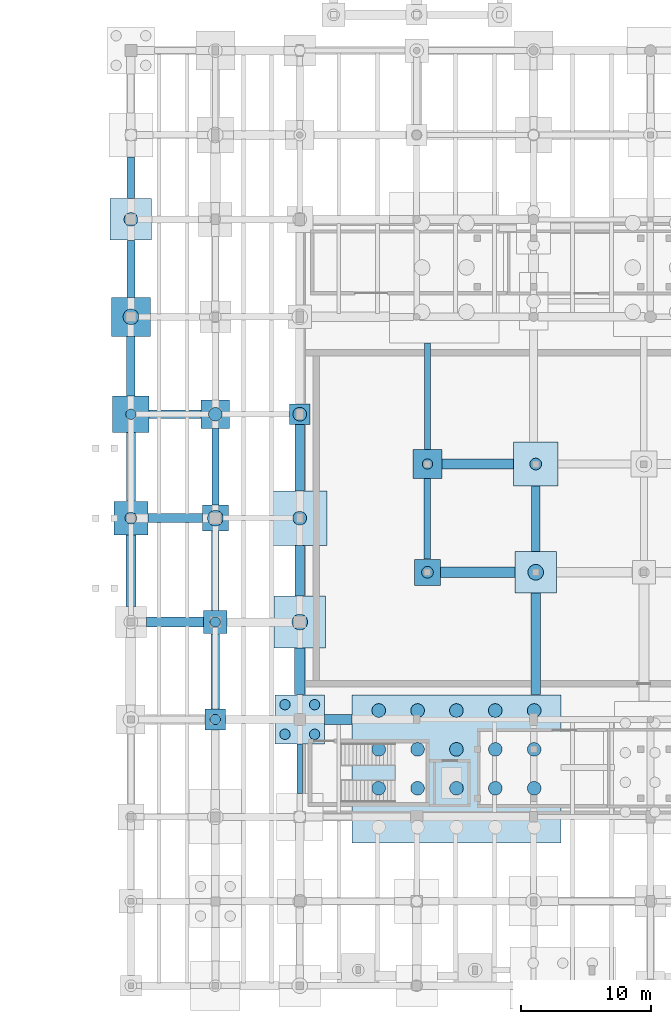
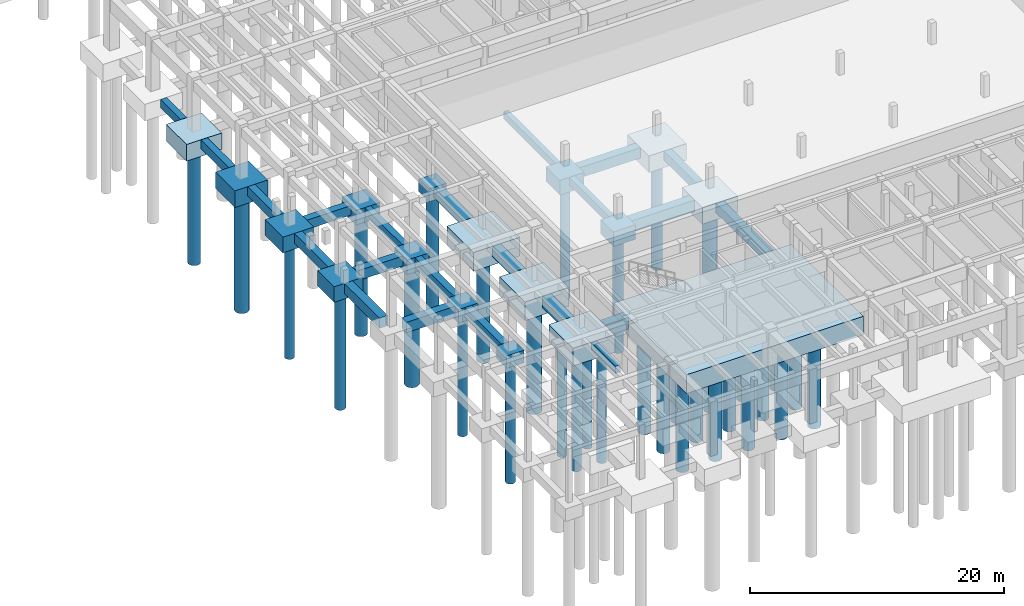
# One storey, part 2 of 36: 39 footings, 34 piles.
"""IFC4 building model written with IfcOpenShell, lengths in metres."""

from ifc_helpers import new_model, si_unit, direction, frame, origin, origin_2d, place, context, subcontext, project, spatial, polyline, circle, outline, extrude, material, material_profile, profile_set, type_object, element, save


model = new_model("IFC4")

# Units and contexts
model_context = context("Model", 3, precision=1e-05, world=origin(), true_north=direction((0.0, 1.0)))
body_context = subcontext(model_context, "Body", "Model", "MODEL_VIEW")
ifc_project = project(units=[si_unit("LENGTHUNIT", "METRE"), si_unit("AREAUNIT", "SQUARE_METRE"), si_unit("VOLUMEUNIT", "CUBIC_METRE"), si_unit("PLANEANGLEUNIT", "RADIAN"), si_unit("MASSUNIT", "GRAM", prefix="KILO"), si_unit("THERMODYNAMICTEMPERATUREUNIT", "KELVIN"), si_unit("POWERUNIT", "WATT")], contexts=[model_context])

# Site, building, storey
site_placement = place(None, origin())
site = spatial("IfcSite", under=ifc_project, at=site_placement, CompositionType="ELEMENT")
building_placement = place(site_placement, origin())
building = spatial("IfcBuilding", under=site, at=building_placement, Name="Tepalcoro Natatorium and Aquatics Centre", CompositionType="ELEMENT")
storey_placement = place(building_placement, frame((0.0, 0.0, -5.199951171875)))
storey = spatial("IfcBuildingStorey", under=building, at=storey_placement, Name="B1", CompositionType="ELEMENT", Elevation=-5.199951171875)

# Footings
ifc_material = material(Name="Concrete C40/50 (fc 40 MPa)", Category="concrete")
footing_type_1 = type_object("IfcFootingType", Name="FB_450x700", PredefinedType="FOOTING_BEAM", material=ifc_material)
footing_1_placement = place(storey_placement, frame((0.0, 0.0, -1.199951171875)))
element("IfcFooting", 1, at=footing_1_placement, inside=storey, type_object=footing_type_1, Name="V1 B1 Foundation Tie Beam Y", PredefinedType="FOOTING_BEAM", context=body_context, shape_type="SweptSolid", body=[
    extrude(outline(polyline([(53.22509765625, 14.804931640625), (53.22509765625, 18.594970703125), (52.77490234375, 18.594970703125), (52.77490234375, 14.804931640625), (53.22509765625, 14.804931640625)])), origin(), (0.0, 0.0, 1.0), 0.699951171875),
])
footing_2_placement = place(storey_placement, frame((0.0, 0.0, -1.199951171875)))
element("IfcFooting", 2, at=footing_2_placement, inside=storey, type_object=footing_type_1, Name="V1 B1 Foundation Tie Beam Y", PredefinedType="FOOTING_BEAM", context=body_context, shape_type="SweptSolid", body=[
    extrude(outline(polyline([(63.05810546875, 41.27197265625), (63.05810546875, 49.4951171875), (62.60791015625, 49.4951171875), (62.60791015625, 41.27197265625), (63.05810546875, 41.27197265625)])), origin(), (0.0, 0.0, 1.0), 0.699951171875),
])
footing_type_2 = type_object("IfcFootingType", Name="FB_500x750", PredefinedType="FOOTING_BEAM", material=ifc_material)
footing_3_placement = place(storey_placement, frame((0.0, 0.0, -1.25)))
element("IfcFooting", 3, at=footing_3_placement, inside=storey, type_object=footing_type_2, Name="V1 B1 Foundation Tie Beam Y", PredefinedType="FOOTING_BEAM", context=body_context, shape_type="SweptSolid", body=[
    extrude(outline(polyline([(63.0830078125, 32.837890625), (63.0830078125, 39.06201171875), (62.5830078125, 39.06201171875), (62.5830078125, 32.837890625), (63.0830078125, 32.837890625)])), origin(), (0.0, 0.0, 1.0), 0.75),
])
footing_type_3 = type_object("IfcFootingType", Name="FB_550x800", PredefinedType="FOOTING_BEAM", material=ifc_material)
footing_4_placement = place(storey_placement, frame((0.0, 0.0, -0.800048828125)))
element("IfcFooting", 4, at=footing_4_placement, inside=storey, type_object=footing_type_3, Name="V1 B1 Foundation Tie Beam Y", PredefinedType="FOOTING_BEAM", context=body_context, shape_type="SweptSolid", body=[
    extrude(outline(polyline([(40.27490234375, 60.60498046875), (40.27490234375, 63.794921875), (39.72509765625, 63.794921875), (39.72509765625, 60.60498046875), (40.27490234375, 60.60498046875)])), origin(), (0.0, 0.0, 1.0), 0.800048828125),
])
footing_5_placement = place(storey_placement, frame((0.0, 0.0, -0.800048828125)))
element("IfcFooting", 5, at=footing_5_placement, inside=storey, type_object=footing_type_3, Name="V1 B1 Foundation Tie Beam Y", PredefinedType="FOOTING_BEAM", context=body_context, shape_type="SweptSolid", body=[
    extrude(outline(polyline([(46.77490234375, 37.0048828125), (46.77490234375, 42.89501953125), (46.22509765625, 42.89501953125), (46.22509765625, 37.0048828125), (46.77490234375, 37.0048828125)])), origin(), (0.0, 0.0, 1.0), 0.800048828125),
])
footing_type_4 = type_object("IfcFootingType", Name="FB_600x850", PredefinedType="FOOTING_BEAM", material=ifc_material)
footing_6_placement = place(storey_placement, frame((0.0, 0.0, -0.85009765625)))
element("IfcFooting", 6, at=footing_6_placement, inside=storey, type_object=footing_type_4, Name="V1 B1 Foundation Tie Beam Y", PredefinedType="FOOTING_BEAM", context=body_context, shape_type="SweptSolid", body=[
    extrude(outline(polyline([(40.300048828125, 53.0048828125), (40.300048828125, 57.39501953125), (39.699951171875, 57.39501953125), (39.699951171875, 53.0048828125), (40.300048828125, 53.0048828125)])), origin(), (0.0, 0.0, 1.0), 0.85009765625),
])
footing_7_placement = place(storey_placement, frame((0.0, 0.0, -0.85009765625)))
element("IfcFooting", 7, at=footing_7_placement, inside=storey, type_object=footing_type_4, Name="V1 B1 Foundation Tie Beam Y", PredefinedType="FOOTING_BEAM", context=body_context, shape_type="SweptSolid", body=[
    extrude(outline(polyline([(46.800048828125, 28.905029296875), (46.800048828125, 34.9951171875), (46.199951171875, 34.9951171875), (46.199951171875, 28.905029296875), (46.800048828125, 28.905029296875)])), origin(), (0.0, 0.0, 1.0), 0.85009765625),
])
footing_type_5 = type_object("IfcFootingType", Name="FB_650x900", PredefinedType="FOOTING_BEAM", material=ifc_material)
footing_8_placement = place(storey_placement, frame((0.0, 0.0, -0.900146484375)))
element("IfcFooting", 8, at=footing_8_placement, inside=storey, type_object=footing_type_5, Name="V1 B1 Foundation Tie Beam X", PredefinedType="FOOTING_BEAM", context=body_context, shape_type="SweptSolid", body=[
    extrude(outline(polyline([(41.405029296875, 43.675048828125), (45.39501953125, 43.675048828125), (45.39501953125, 44.324951171875), (41.405029296875, 44.324951171875), (41.405029296875, 43.675048828125)])), origin(), (0.0, 0.0, 1.0), 0.900146484375),
])
footing_9_placement = place(storey_placement, frame((0.0, 0.0, -0.900146484375)))
element("IfcFooting", 9, at=footing_9_placement, inside=storey, type_object=footing_type_5, Name="V1 B1 Foundation Tie Beam Y", PredefinedType="FOOTING_BEAM", context=body_context, shape_type="SweptSolid", body=[
    extrude(outline(polyline([(40.324951171875, 45.405029296875), (40.324951171875, 49.9951171875), (39.675048828125, 49.9951171875), (39.675048828125, 45.405029296875), (40.324951171875, 45.405029296875)])), origin(), (0.0, 0.0, 1.0), 0.900146484375),
])
footing_10_placement = place(storey_placement, frame((0.0, 0.0, -0.900146484375)))
element("IfcFooting", 10, at=footing_10_placement, inside=storey, type_object=footing_type_5, Name="V1 B1 Foundation Tie Beam Y", PredefinedType="FOOTING_BEAM", context=body_context, shape_type="SweptSolid", body=[
    extrude(outline(polyline([(46.824951171875, 21.304931640625), (46.824951171875, 27.094970703125), (46.175048828125, 27.094970703125), (46.175048828125, 21.304931640625), (46.824951171875, 21.304931640625)])), origin(), (0.0, 0.0, 1.0), 0.900146484375),
])
footing_11_placement = place(storey_placement, frame((0.0, 0.0, -1.400146484375)))
element("IfcFooting", 11, at=footing_11_placement, inside=storey, type_object=footing_type_5, Name="V1 B1 Foundation Tie Beam Y", PredefinedType="FOOTING_BEAM", context=body_context, shape_type="SweptSolid", body=[
    extrude(outline(polyline([(71.491943359375, 33.43798828125), (71.491943359375, 38.4619140625), (70.842041015625, 38.4619140625), (70.842041015625, 33.43798828125), (71.491943359375, 33.43798828125)])), origin(), (0.0, 0.0, 1.0), 0.900146484375),
])
footing_type_6 = type_object("IfcFootingType", Name="FB_700x950", PredefinedType="FOOTING_BEAM", material=ifc_material)
footing_12_placement = place(storey_placement, frame((0.0, 0.0, -0.949951171875)))
element("IfcFooting", 12, at=footing_12_placement, inside=storey, type_object=footing_type_6, Name="V1 B1 Foundation Tie Beam X", PredefinedType="FOOTING_BEAM", context=body_context, shape_type="SweptSolid", body=[
    extrude(outline(polyline([(41.304931640625, 35.64990234375), (45.4951171875, 35.64990234375), (45.4951171875, 36.35009765625), (41.304931640625, 36.35009765625), (41.304931640625, 35.64990234375)])), origin(), (0.0, 0.0, 1.0), 0.949951171875),
])
footing_13_placement = place(storey_placement, frame((0.0, 0.0, -0.949951171875)))
element("IfcFooting", 13, at=footing_13_placement, inside=storey, type_object=footing_type_6, Name="V1 B1 Foundation Tie Beam Y", PredefinedType="FOOTING_BEAM", context=body_context, shape_type="SweptSolid", body=[
    extrude(outline(polyline([(40.35009765625, 37.304931640625), (40.35009765625, 42.594970703125), (39.64990234375, 42.594970703125), (39.64990234375, 37.304931640625), (40.35009765625, 37.304931640625)])), origin(), (0.0, 0.0, 1.0), 0.949951171875),
])
footing_14_placement = place(storey_placement, frame((0.0, 0.0, -1.449951171875)))
element("IfcFooting", 14, at=footing_14_placement, inside=storey, type_object=footing_type_6, Name="V1 B1 Foundation Tie Beam Y", PredefinedType="FOOTING_BEAM", context=body_context, shape_type="SweptSolid", body=[
    extrude(outline(polyline([(53.35009765625, 38.10498046875), (53.35009765625, 43.195068359375), (52.64990234375, 43.195068359375), (52.64990234375, 38.10498046875), (53.35009765625, 38.10498046875)])), origin(), (0.0, 0.0, 1.0), 0.949951171875),
])
footing_15_placement = place(storey_placement, frame((0.0, 0.0, -1.449951171875)))
element("IfcFooting", 15, at=footing_15_placement, inside=storey, type_object=footing_type_6, Name="V1 B1 Foundation Tie Beam Y", PredefinedType="FOOTING_BEAM", context=body_context, shape_type="SweptSolid", body=[
    extrude(outline(polyline([(71.51708984375, 22.405029296875), (71.51708984375, 30.22802734375), (70.81689453125, 30.22802734375), (70.81689453125, 22.405029296875), (71.51708984375, 22.405029296875)])), origin(), (0.0, 0.0, 1.0), 0.949951171875),
])
footing_type_7 = type_object("IfcFootingType", Name="FB_750x1000", PredefinedType="FOOTING_BEAM", material=ifc_material)
footing_16_placement = place(storey_placement, frame((0.0, 0.0, -1.0)))
element("IfcFooting", 16, at=footing_16_placement, inside=storey, type_object=footing_type_7, Name="V1 B1 Foundation Tie Beam X", PredefinedType="FOOTING_BEAM", context=body_context, shape_type="SweptSolid", body=[
    extrude(outline(polyline([(41.205078125, 27.625), (45.594970703125, 27.625), (45.594970703125, 28.375), (41.205078125, 28.375), (41.205078125, 27.625)])), origin(), (0.0, 0.0, 1.0), 1.0),
])
footing_17_placement = place(storey_placement, frame((0.0, 0.0, -1.5)))
element("IfcFooting", 17, at=footing_17_placement, inside=storey, type_object=footing_type_7, Name="V1 B1 Foundation Tie Beam X", PredefinedType="FOOTING_BEAM", context=body_context, shape_type="SweptSolid", body=[
    extrude(outline(polyline([(63.93798828125, 39.7919921875), (69.4619140625, 39.7919921875), (69.4619140625, 40.5419921875), (63.93798828125, 40.5419921875), (63.93798828125, 39.7919921875)])), origin(), (0.0, 0.0, 1.0), 1.0),
])
footing_18_placement = place(storey_placement, frame((0.0, 0.0, -1.0)))
element("IfcFooting", 18, at=footing_18_placement, inside=storey, type_object=footing_type_7, Name="V1 B1 Foundation Tie Beam Y", PredefinedType="FOOTING_BEAM", context=body_context, shape_type="SweptSolid", body=[
    extrude(outline(polyline([(40.375, 29.205078125), (40.375, 34.695068359375), (39.625, 34.695068359375), (39.625, 29.205078125), (40.375, 29.205078125)])), origin(), (0.0, 0.0, 1.0), 1.0),
])
footing_19_placement = place(storey_placement, frame((0.0, 0.0, -1.5)))
element("IfcFooting", 19, at=footing_19_placement, inside=storey, type_object=footing_type_7, Name="V1 B1 Foundation Tie Beam Y", PredefinedType="FOOTING_BEAM", context=body_context, shape_type="SweptSolid", body=[
    extrude(outline(polyline([(53.375, 30.0048828125), (53.375, 33.89501953125), (52.625, 33.89501953125), (52.625, 30.0048828125), (53.375, 30.0048828125)])), origin(), (0.0, 0.0, 1.0), 1.0),
])
footing_type_8 = type_object("IfcFootingType", Name="FB_800x1100", PredefinedType="FOOTING_BEAM", material=ifc_material)
footing_20_placement = place(storey_placement, frame((0.0, 0.0, -1.60009765625)))
element("IfcFooting", 20, at=footing_20_placement, inside=storey, type_object=footing_type_8, Name="V1 B1 Foundation Tie Beam X", PredefinedType="FOOTING_BEAM", context=body_context, shape_type="SweptSolid", body=[
    extrude(outline(polyline([(54.905029296875, 20.10009765625), (57.02001953125, 20.10009765625), (57.02001953125, 20.89990234375), (54.905029296875, 20.89990234375), (54.905029296875, 20.10009765625)])), origin(), (0.0, 0.0, 1.0), 1.10009765625),
])
footing_21_placement = place(storey_placement, frame((0.0, 0.0, -1.60009765625)))
element("IfcFooting", 21, at=footing_21_placement, inside=storey, type_object=footing_type_8, Name="V1 B1 Foundation Tie Beam X", PredefinedType="FOOTING_BEAM", context=body_context, shape_type="SweptSolid", body=[
    extrude(outline(polyline([(63.837890625, 31.43310546875), (69.56201171875, 31.43310546875), (69.56201171875, 32.23291015625), (63.837890625, 32.23291015625), (63.837890625, 31.43310546875)])), origin(), (0.0, 0.0, 1.0), 1.10009765625),
])
footing_22_placement = place(storey_placement, frame((0.0, 0.0, -1.60009765625)))
element("IfcFooting", 22, at=footing_22_placement, inside=storey, type_object=footing_type_8, Name="V1 B1 Foundation Tie Beam Y", PredefinedType="FOOTING_BEAM", context=body_context, shape_type="SweptSolid", body=[
    extrude(outline(polyline([(53.39990234375, 22.405029296875), (53.39990234375, 25.9951171875), (52.60009765625, 25.9951171875), (52.60009765625, 22.405029296875), (53.39990234375, 22.405029296875)])), origin(), (0.0, 0.0, 1.0), 1.10009765625),
])
footing_type_9 = type_object("IfcFootingType", Name="PC_1600x1600x1200", PredefinedType="PILE_CAP", material=ifc_material)
footing_23_placement = place(storey_placement, frame((0.0, 0.0, -1.199951171875)))
element("IfcFooting", 23, at=footing_23_placement, inside=storey, type_object=footing_type_9, Name="V1 Reinforced Concrete Pile Cap 22", PredefinedType="PILE_CAP", context=body_context, shape_type="SweptSolid", body=[
    extrude(outline(polyline([(45.699951171875, 19.699951171875), (47.300048828125, 19.699951171875), (47.300048828125, 21.300048828125), (45.699951171875, 21.300048828125), (45.699951171875, 19.699951171875)])), origin(), (0.0, 0.0, 1.0), 1.199951171875),
])
footing_24_placement = place(storey_placement, frame((0.0, 0.0, -1.699951171875)))
element("IfcFooting", 24, at=footing_24_placement, inside=storey, type_object=footing_type_9, Name="V1 Reinforced Concrete Pile Cap 33", PredefinedType="PILE_CAP", context=body_context, shape_type="SweptSolid", body=[
    extrude(outline(polyline([(52.199951171875, 43.199951171875), (53.800048828125, 43.199951171875), (53.800048828125, 44.800048828125), (52.199951171875, 44.800048828125), (52.199951171875, 43.199951171875)])), origin(), (0.0, 0.0, 1.0), 1.199951171875),
])
footing_type_10 = type_object("IfcFootingType", Name="PC_1800x1800x1300", PredefinedType="PILE_CAP", material=ifc_material)
footing_25_placement = place(storey_placement, frame((0.0, 0.0, -1.300048828125)))
element("IfcFooting", 25, at=footing_25_placement, inside=storey, type_object=footing_type_10, Name="V1 Reinforced Concrete Pile Cap 21", PredefinedType="PILE_CAP", context=body_context, shape_type="SweptSolid", body=[
    extrude(outline(polyline([(45.60009765625, 27.10009765625), (47.39990234375, 27.10009765625), (47.39990234375, 28.89990234375), (45.60009765625, 28.89990234375), (45.60009765625, 27.10009765625)])), origin(), (0.0, 0.0, 1.0), 1.300048828125),
])
footing_type_11 = type_object("IfcFootingType", Name="PC_2000x2000x1400", PredefinedType="PILE_CAP", material=ifc_material)
footing_26_placement = place(storey_placement, frame((0.0, 0.0, -1.400146484375)))
element("IfcFooting", 26, at=footing_26_placement, inside=storey, type_object=footing_type_11, Name="V1 Reinforced Concrete Pile Cap 20", PredefinedType="PILE_CAP", context=body_context, shape_type="SweptSolid", body=[
    extrude(outline(polyline([(45.5, 35.0), (47.5, 35.0), (47.5, 37.0), (45.5, 37.0), (45.5, 35.0)])), origin(), (0.0, 0.0, 1.0), 1.400146484375),
])
footing_27_placement = place(storey_placement, frame((0.0, 0.0, -1.900146484375)))
element("IfcFooting", 27, at=footing_27_placement, inside=storey, type_object=footing_type_11, Name="V1 Reinforced Concrete Pile Cap 42", PredefinedType="PILE_CAP", context=body_context, shape_type="SweptSolid", body=[
    extrude(outline(polyline([(61.8330078125, 30.8330078125), (63.8330078125, 30.8330078125), (63.8330078125, 32.8330078125), (61.8330078125, 32.8330078125), (61.8330078125, 30.8330078125)])), origin(), (0.0, 0.0, 1.0), 1.400146484375),
])
footing_type_12 = type_object("IfcFootingType", Name="PC_2200x2200x1400", PredefinedType="PILE_CAP", material=ifc_material)
footing_28_placement = place(storey_placement, frame((0.0, 0.0, -1.400146484375)))
element("IfcFooting", 28, at=footing_28_placement, inside=storey, type_object=footing_type_12, Name="V1 Reinforced Concrete Pile Cap 19", PredefinedType="PILE_CAP", context=body_context, shape_type="SweptSolid", body=[
    extrude(outline(polyline([(45.39990234375, 42.89990234375), (47.60009765625, 42.89990234375), (47.60009765625, 45.10009765625), (45.39990234375, 45.10009765625), (45.39990234375, 42.89990234375)])), origin(), (0.0, 0.0, 1.0), 1.400146484375),
])
footing_29_placement = place(storey_placement, frame((0.0, 0.0, -1.900146484375)))
element("IfcFooting", 29, at=footing_29_placement, inside=storey, type_object=footing_type_12, Name="V1 Reinforced Concrete Pile Cap 41", PredefinedType="PILE_CAP", context=body_context, shape_type="SweptSolid", body=[
    extrude(outline(polyline([(61.73291015625, 39.06689453125), (63.93310546875, 39.06689453125), (63.93310546875, 41.26708984375), (61.73291015625, 41.26708984375), (61.73291015625, 39.06689453125)])), origin(), (0.0, 0.0, 1.0), 1.400146484375),
])
footing_type_13 = type_object("IfcFootingType", Name="PC_2600x2600x1500", PredefinedType="PILE_CAP", material=ifc_material)
footing_30_placement = place(storey_placement, frame((0.0, 0.0, -1.5)))
element("IfcFooting", 30, at=footing_30_placement, inside=storey, type_object=footing_type_13, Name="V1 Reinforced Concrete Pile Cap 6", PredefinedType="PILE_CAP", context=body_context, shape_type="SweptSolid", body=[
    extrude(outline(polyline([(38.699951171875, 34.699951171875), (41.300048828125, 34.699951171875), (41.300048828125, 37.300048828125), (38.699951171875, 37.300048828125), (38.699951171875, 34.699951171875)])), origin(), (0.0, 0.0, 1.0), 1.5),
])
footing_type_14 = type_object("IfcFootingType", Name="PC_2800x2800x1500", PredefinedType="PILE_CAP", material=ifc_material)
footing_31_placement = place(storey_placement, frame((0.0, 0.0, -1.5)))
element("IfcFooting", 31, at=footing_31_placement, inside=storey, type_object=footing_type_14, Name="V1 Reinforced Concrete Pile Cap 5", PredefinedType="PILE_CAP", context=body_context, shape_type="SweptSolid", body=[
    extrude(outline(polyline([(38.60009765625, 42.60009765625), (41.39990234375, 42.60009765625), (41.39990234375, 45.39990234375), (38.60009765625, 45.39990234375), (38.60009765625, 42.60009765625)])), origin(), (0.0, 0.0, 1.0), 1.5),
])
footing_type_15 = type_object("IfcFootingType", Name="PC_3000x3000x1600", PredefinedType="PILE_CAP", material=ifc_material)
footing_32_placement = place(storey_placement, frame((0.0, 0.0, -1.60009765625)))
element("IfcFooting", 32, at=footing_32_placement, inside=storey, type_object=footing_type_15, Name="V1 Reinforced Concrete Pile Cap 4", PredefinedType="PILE_CAP", context=body_context, shape_type="SweptSolid", body=[
    extrude(outline(polyline([(38.5, 50.0), (41.5, 50.0), (41.5, 53.0), (38.5, 53.0), (38.5, 50.0)])), origin(), (0.0, 0.0, 1.0), 1.60009765625),
])
footing_type_16 = type_object("IfcFootingType", Name="PC_3200x3200x1600", PredefinedType="PILE_CAP", material=ifc_material)
footing_33_placement = place(storey_placement, frame((0.0, 0.0, -1.60009765625)))
element("IfcFooting", 33, at=footing_33_placement, inside=storey, type_object=footing_type_16, Name="V1 Reinforced Concrete Pile Cap 3", PredefinedType="PILE_CAP", context=body_context, shape_type="SweptSolid", body=[
    extrude(outline(polyline([(38.39990234375, 57.39990234375), (41.60009765625, 57.39990234375), (41.60009765625, 60.60009765625), (38.39990234375, 60.60009765625), (38.39990234375, 57.39990234375)])), origin(), (0.0, 0.0, 1.0), 1.60009765625),
])
footing_34_placement = place(storey_placement, frame((0.0, 0.0, -2.10009765625)))
element("IfcFooting", 34, at=footing_34_placement, inside=storey, type_object=footing_type_16, Name="V1 Reinforced Concrete Pile Cap 48", PredefinedType="PILE_CAP", context=body_context, shape_type="SweptSolid", body=[
    extrude(outline(polyline([(69.56689453125, 30.23291015625), (72.76708984375, 30.23291015625), (72.76708984375, 33.43310546875), (69.56689453125, 33.43310546875), (69.56689453125, 30.23291015625)])), origin(), (0.0, 0.0, 1.0), 1.60009765625),
])
footing_type_17 = type_object("IfcFootingType", Name="PC_3400x3400x1600", PredefinedType="PILE_CAP", material=ifc_material)
footing_35_placement = place(storey_placement, frame((0.0, 0.0, -2.10009765625)))
element("IfcFooting", 35, at=footing_35_placement, inside=storey, type_object=footing_type_17, Name="V1 Reinforced Concrete Pile Cap 46", PredefinedType="PILE_CAP", context=body_context, shape_type="SweptSolid", body=[
    extrude(outline(polyline([(69.467041015625, 38.467041015625), (72.866943359375, 38.467041015625), (72.866943359375, 41.866943359375), (69.467041015625, 41.866943359375), (69.467041015625, 38.467041015625)])), origin(), (0.0, 0.0, 1.0), 1.60009765625),
])
footing_type_18 = type_object("IfcFootingType", Name="PC_3800x3800x1700", PredefinedType="PILE_CAP", material=ifc_material)
footing_36_placement = place(storey_placement, frame((0.0, 0.0, -2.199951171875)))
element("IfcFooting", 36, at=footing_36_placement, inside=storey, type_object=footing_type_18, Name="V1 Reinforced Concrete Pile Cap 25", PredefinedType="PILE_CAP", context=body_context, shape_type="SweptSolid", body=[
    extrude(outline(polyline([(51.10009765625, 18.60009765625), (54.89990234375, 18.60009765625), (54.89990234375, 22.39990234375), (51.10009765625, 22.39990234375), (51.10009765625, 18.60009765625)])), origin(), (0.0, 0.0, 1.0), 1.699951171875),
])
footing_type_19 = type_object("IfcFootingType", Name="PC_4000x4000x1800", PredefinedType="PILE_CAP", material=ifc_material)
footing_37_placement = place(storey_placement, frame((0.0, 0.0, -2.300048828125)))
element("IfcFooting", 37, at=footing_37_placement, inside=storey, type_object=footing_type_19, Name="V1 Reinforced Concrete Pile Cap 24", PredefinedType="PILE_CAP", context=body_context, shape_type="SweptSolid", body=[
    extrude(outline(polyline([(51.0, 26.0), (55.0, 26.0), (55.0, 30.0), (51.0, 30.0), (51.0, 26.0)])), origin(), (0.0, 0.0, 1.0), 1.800048828125),
])
footing_38_placement = place(storey_placement, frame((0.0, 0.0, -2.300048828125)))
element("IfcFooting", 38, at=footing_38_placement, inside=storey, type_object=footing_type_19, Name="V1 Reinforced Concrete Pile Cap 35", PredefinedType="PILE_CAP", context=body_context, shape_type="SweptSolid", body=[
    extrude(outline(polyline([(57.02490234375, 11.0), (73.10009765625, 11.0), (73.10009765625, 22.39990234375), (57.02490234375, 22.39990234375), (57.02490234375, 11.0)])), origin(), (0.0, 0.0, 1.0), 1.800048828125),
])
footing_type_20 = type_object("IfcFootingType", Name="PC_4200x4200x1800", PredefinedType="PILE_CAP", material=ifc_material)
footing_39_placement = place(storey_placement, frame((0.0, 0.0, -2.300048828125)))
element("IfcFooting", 39, at=footing_39_placement, inside=storey, type_object=footing_type_20, Name="V1 Reinforced Concrete Pile Cap 23", PredefinedType="PILE_CAP", context=body_context, shape_type="SweptSolid", body=[
    extrude(outline(polyline([(50.89990234375, 33.89990234375), (55.10009765625, 33.89990234375), (55.10009765625, 38.10009765625), (50.89990234375, 38.10009765625), (50.89990234375, 33.89990234375)])), origin(), (0.0, 0.0, 1.0), 1.800048828125),
])

# Piles
ifc_material_profile_1 = material_profile(ifc_material, circle(Radius=0.52490234375, at=origin_2d()), Name="PILE_D1050")
ifc_profile_set_1 = profile_set([ifc_material_profile_1], Name="Concrete C40/50 (fc 40 MPa)")
pile_type_1 = type_object("IfcPileType", Name="PILE_D1050", PredefinedType="BORED", material=ifc_profile_set_1)
pile_1_placement = place(storey_placement, frame((40.0, 59.0, -1.5), z_axis=(0.0, 0.0, -1.0), x_axis=(1.0, 0.0, 0.0)))
element("IfcPile", 40, at=pile_1_placement, inside=storey, type_object=pile_type_1, Name="Bored Pile PILE_D1050 under PC_V1_0002", PredefinedType="BORED", context=body_context, shape_type="SweptSolid", body=[
    extrude(circle(Radius=0.52490234375, at=origin_2d()), origin(), (0.0, 0.0, 1.0), 11.300048828125),
])
pile_2_placement = place(storey_placement, frame((46.5, 44.0, -1.300048828125), z_axis=(0.0, 0.0, -1.0), x_axis=(1.0, 0.0, 0.0)))
element("IfcPile", 41, at=pile_2_placement, inside=storey, type_object=pile_type_1, Name="Bored Pile PILE_D1050 under PC_V1_0018", PredefinedType="BORED", context=body_context, shape_type="SweptSolid", body=[
    extrude(circle(Radius=0.52490234375, at=origin_2d()), origin(), (0.0, 0.0, 1.0), 11.5),
])
pile_3_placement = place(storey_placement, frame((53.0, 36.0, -2.199951171875), z_axis=(0.0, 0.0, -1.0), x_axis=(1.0, 0.0, 0.0)))
element("IfcPile", 42, at=pile_3_placement, inside=storey, type_object=pile_type_1, Name="Bored Pile PILE_D1050 under PC_V1_0022", PredefinedType="BORED", context=body_context, shape_type="SweptSolid", body=[
    extrude(circle(Radius=0.52490234375, at=origin_2d()), origin(), (0.0, 0.0, 1.0), 10.60009765625),
])
pile_4_placement = place(storey_placement, frame((53.0, 44.0, -1.60009765625), z_axis=(0.0, 0.0, -1.0), x_axis=(1.0, 0.0, 0.0)))
element("IfcPile", 43, at=pile_4_placement, inside=storey, type_object=pile_type_1, Name="Bored Pile PILE_D1050 under PC_V1_0032", PredefinedType="BORED", context=body_context, shape_type="SweptSolid", body=[
    extrude(circle(Radius=0.52490234375, at=origin_2d()), origin(), (0.0, 0.0, 1.0), 11.199951171875),
])
for number, where, z_axis, x_axis, name in (
    (44, (59.077392578125, 15.20361328125, -2.199951171875), (0.0, 0.0, -1.0), (1.0, 0.0, 0.0), "Bored Pile PILE_D1050 under PC_V1_0034"),
    (45, (59.077392578125, 18.1962890625, -2.199951171875), (0.0, 0.0, -1.0), (1.0, 0.0, 0.0), "Bored Pile PILE_D1050 under PC_V1_0034"),
    (46, (59.077392578125, 21.188720703125, -2.199951171875), (0.0, 0.0, -1.0), (1.0, 0.0, 0.0), "Bored Pile PILE_D1050 under PC_V1_0034"),
    (47, (62.070068359375, 15.20361328125, -2.199951171875), (0.0, 0.0, -1.0), (1.0, 0.0, 0.0), "Bored Pile PILE_D1050 under PC_V1_0034"),
    (48, (62.070068359375, 18.1962890625, -2.199951171875), (0.0, 0.0, -1.0), (1.0, 0.0, 0.0), "Bored Pile PILE_D1050 under PC_V1_0034"),
    (49, (62.070068359375, 21.188720703125, -2.199951171875), (0.0, 0.0, -1.0), (1.0, 0.0, 0.0), "Bored Pile PILE_D1050 under PC_V1_0034"),
    (50, (65.0625, 15.20361328125, -2.199951171875), (0.0, 0.0, -1.0), (1.0, 0.0, 0.0), "Bored Pile PILE_D1050 under PC_V1_0034"),
    (51, (65.0625, 18.1962890625, -2.199951171875), (0.0, 0.0, -1.0), (1.0, 0.0, 0.0), "Bored Pile PILE_D1050 under PC_V1_0034"),
    (52, (65.0625, 21.188720703125, -2.199951171875), (0.0, 0.0, -1.0), (1.0, 0.0, 0.0), "Bored Pile PILE_D1050 under PC_V1_0034"),
    (53, (68.054931640625, 15.20361328125, -2.199951171875), (0.0, 0.0, -1.0), (1.0, 0.0, 0.0), "Bored Pile PILE_D1050 under PC_V1_0034"),
    (54, (68.054931640625, 18.1962890625, -2.199951171875), (0.0, 0.0, -1.0), (1.0, 0.0, 0.0), "Bored Pile PILE_D1050 under PC_V1_0034"),
    (55, (68.054931640625, 21.188720703125, -2.199951171875), (0.0, 0.0, -1.0), (1.0, 0.0, 0.0), "Bored Pile PILE_D1050 under PC_V1_0034"),
    (56, (71.047607421875, 15.20361328125, -2.199951171875), (0.0, 0.0, -1.0), (1.0, 0.0, 0.0), "Bored Pile PILE_D1050 under PC_V1_0034"),
    (57, (71.047607421875, 18.1962890625, -2.199951171875), (0.0, 0.0, -1.0), (1.0, 0.0, 0.0), "Bored Pile PILE_D1050 under PC_V1_0034"),
    (58, (71.047607421875, 21.188720703125, -2.199951171875), (0.0, 0.0, -1.0), (1.0, 0.0, 0.0), "Bored Pile PILE_D1050 under PC_V1_0034"),
):
    element("IfcPile", number, at=place(storey_placement, frame(where, z_axis=z_axis, x_axis=x_axis)), inside=storey, type_object=pile_type_1, Name=name, PredefinedType="BORED", context=body_context, shape_type="SweptSolid", body=[
        extrude(circle(Radius=0.52490234375, at=origin_2d()), origin(), (0.0, 0.0, 1.0), 10.60009765625),
    ])
ifc_material_profile_2 = material_profile(ifc_material, circle(Radius=0.60009765625, at=origin_2d()), Name="PILE_D1200")
ifc_profile_set_2 = profile_set([ifc_material_profile_2], Name="Concrete C40/50 (fc 40 MPa)")
pile_type_2 = type_object("IfcPileType", Name="PILE_D1200", PredefinedType="BORED", material=ifc_profile_set_2)
pile_5_placement = place(storey_placement, frame((40.0, 51.5, -1.5), z_axis=(0.0, 0.0, -1.0), x_axis=(1.0, 0.0, 0.0)))
element("IfcPile", 59, at=pile_5_placement, inside=storey, type_object=pile_type_2, Name="Bored Pile PILE_D1200 under PC_V1_0003", PredefinedType="BORED", context=body_context, shape_type="SweptSolid", body=[
    extrude(circle(Radius=0.60009765625, at=origin_2d()), origin(), (0.0, 0.0, 1.0), 11.300048828125),
])
pile_6_placement = place(storey_placement, frame((46.5, 36.0, -1.300048828125), z_axis=(0.0, 0.0, -1.0), x_axis=(1.0, 0.0, 0.0)))
element("IfcPile", 60, at=pile_6_placement, inside=storey, type_object=pile_type_2, Name="Bored Pile PILE_D1200 under PC_V1_0019", PredefinedType="BORED", context=body_context, shape_type="SweptSolid", body=[
    extrude(circle(Radius=0.60009765625, at=origin_2d()), origin(), (0.0, 0.0, 1.0), 11.5),
])
pile_7_placement = place(storey_placement, frame((53.0, 28.0, -2.199951171875), z_axis=(0.0, 0.0, -1.0), x_axis=(1.0, 0.0, 0.0)))
element("IfcPile", 61, at=pile_7_placement, inside=storey, type_object=pile_type_2, Name="Bored Pile PILE_D1200 under PC_V1_0023", PredefinedType="BORED", context=body_context, shape_type="SweptSolid", body=[
    extrude(circle(Radius=0.60009765625, at=origin_2d()), origin(), (0.0, 0.0, 1.0), 10.60009765625),
])
pile_8_placement = place(storey_placement, frame((71.1669921875, 31.8330078125, -2.0), z_axis=(0.0, 0.0, -1.0), x_axis=(1.0, 0.0, 0.0)))
element("IfcPile", 62, at=pile_8_placement, inside=storey, type_object=pile_type_2, Name="Bored Pile PILE_D1200 under PC_V1_0047", PredefinedType="BORED", context=body_context, shape_type="SweptSolid", body=[
    extrude(circle(Radius=0.60009765625, at=origin_2d()), origin(), (0.0, 0.0, 1.0), 10.800048828125),
])
ifc_material_profile_3 = material_profile(ifc_material, circle(Radius=0.39990234375, at=origin_2d()), Name="PILE_D800")
ifc_profile_set_3 = profile_set([ifc_material_profile_3], Name="Concrete C40/50 (fc 40 MPa)")
pile_type_3 = type_object("IfcPileType", Name="PILE_D800", PredefinedType="BORED", material=ifc_profile_set_3)
pile_9_placement = place(storey_placement, frame((40.0, 44.0, -1.400146484375), z_axis=(0.0, 0.0, -1.0), x_axis=(1.0, 0.0, 0.0)))
element("IfcPile", 63, at=pile_9_placement, inside=storey, type_object=pile_type_3, Name="Bored Pile PILE_D800 under PC_V1_0004", PredefinedType="BORED", context=body_context, shape_type="SweptSolid", body=[
    extrude(circle(Radius=0.39990234375, at=origin_2d()), origin(), (0.0, 0.0, 1.0), 11.39990234375),
])
pile_10_placement = place(storey_placement, frame((46.5, 28.0, -1.199951171875), z_axis=(0.0, 0.0, -1.0), x_axis=(1.0, 0.0, 0.0)))
element("IfcPile", 64, at=pile_10_placement, inside=storey, type_object=pile_type_3, Name="Bored Pile PILE_D800 under PC_V1_0020", PredefinedType="BORED", context=body_context, shape_type="SweptSolid", body=[
    extrude(circle(Radius=0.39990234375, at=origin_2d()), origin(), (0.0, 0.0, 1.0), 11.60009765625),
])
pile_11_placement = place(storey_placement, frame((46.5, 20.5, -1.10009765625), z_axis=(0.0, 0.0, -1.0), x_axis=(1.0, 0.0, 0.0)))
element("IfcPile", 65, at=pile_11_placement, inside=storey, type_object=pile_type_3, Name="Bored Pile PILE_D800 under PC_V1_0021", PredefinedType="BORED", context=body_context, shape_type="SweptSolid", body=[
    extrude(circle(Radius=0.39990234375, at=origin_2d()), origin(), (0.0, 0.0, 1.0), 11.699951171875),
])
for number, where, z_axis, x_axis, name in (
    (66, (51.860107421875, 19.360107421875, -2.10009765625), (0.0, 0.0, -1.0), (1.0, 0.0, 0.0), "Bored Pile PILE_D800 under PC_V1_0024"),
    (67, (51.860107421875, 21.639892578125, -2.10009765625), (0.0, 0.0, -1.0), (1.0, 0.0, 0.0), "Bored Pile PILE_D800 under PC_V1_0024"),
    (68, (54.139892578125, 19.360107421875, -2.10009765625), (0.0, 0.0, -1.0), (1.0, 0.0, 0.0), "Bored Pile PILE_D800 under PC_V1_0024"),
    (69, (54.139892578125, 21.639892578125, -2.10009765625), (0.0, 0.0, -1.0), (1.0, 0.0, 0.0), "Bored Pile PILE_D800 under PC_V1_0024"),
):
    element("IfcPile", number, at=place(storey_placement, frame(where, z_axis=z_axis, x_axis=x_axis)), inside=storey, type_object=pile_type_3, Name=name, PredefinedType="BORED", context=body_context, shape_type="SweptSolid", body=[
        extrude(circle(Radius=0.39990234375, at=origin_2d()), origin(), (0.0, 0.0, 1.0), 10.699951171875),
    ])
pile_12_placement = place(storey_placement, frame((62.8330078125, 40.1669921875, -1.800048828125), z_axis=(0.0, 0.0, -1.0), x_axis=(1.0, 0.0, 0.0)))
element("IfcPile", 70, at=pile_12_placement, inside=storey, type_object=pile_type_3, Name="Bored Pile PILE_D800 under PC_V1_0040", PredefinedType="BORED", context=body_context, shape_type="SweptSolid", body=[
    extrude(circle(Radius=0.39990234375, at=origin_2d()), origin(), (0.0, 0.0, 1.0), 11.0),
])
ifc_material_profile_4 = material_profile(ifc_material, circle(Radius=0.449951171875, at=origin_2d()), Name="PILE_D900")
ifc_profile_set_4 = profile_set([ifc_material_profile_4], Name="Concrete C40/50 (fc 40 MPa)")
pile_type_4 = type_object("IfcPileType", Name="PILE_D900", PredefinedType="BORED", material=ifc_profile_set_4)
pile_13_placement = place(storey_placement, frame((40.0, 36.0, -1.400146484375), z_axis=(0.0, 0.0, -1.0), x_axis=(1.0, 0.0, 0.0)))
element("IfcPile", 71, at=pile_13_placement, inside=storey, type_object=pile_type_4, Name="Bored Pile PILE_D900 under PC_V1_0005", PredefinedType="BORED", context=body_context, shape_type="SweptSolid", body=[
    extrude(circle(Radius=0.449951171875, at=origin_2d()), origin(), (0.0, 0.0, 1.0), 11.39990234375),
])
pile_14_placement = place(storey_placement, frame((62.8330078125, 31.8330078125, -1.800048828125), z_axis=(0.0, 0.0, -1.0), x_axis=(1.0, 0.0, 0.0)))
element("IfcPile", 72, at=pile_14_placement, inside=storey, type_object=pile_type_4, Name="Bored Pile PILE_D900 under PC_V1_0041", PredefinedType="BORED", context=body_context, shape_type="SweptSolid", body=[
    extrude(circle(Radius=0.449951171875, at=origin_2d()), origin(), (0.0, 0.0, 1.0), 11.0),
])
pile_15_placement = place(storey_placement, frame((71.1669921875, 40.1669921875, -2.0), z_axis=(0.0, 0.0, -1.0), x_axis=(1.0, 0.0, 0.0)))
element("IfcPile", 73, at=pile_15_placement, inside=storey, type_object=pile_type_4, Name="Bored Pile PILE_D900 under PC_V1_0045", PredefinedType="BORED", context=body_context, shape_type="SweptSolid", body=[
    extrude(circle(Radius=0.449951171875, at=origin_2d()), origin(), (0.0, 0.0, 1.0), 10.800048828125),
])

save(model, "model.ifc")
